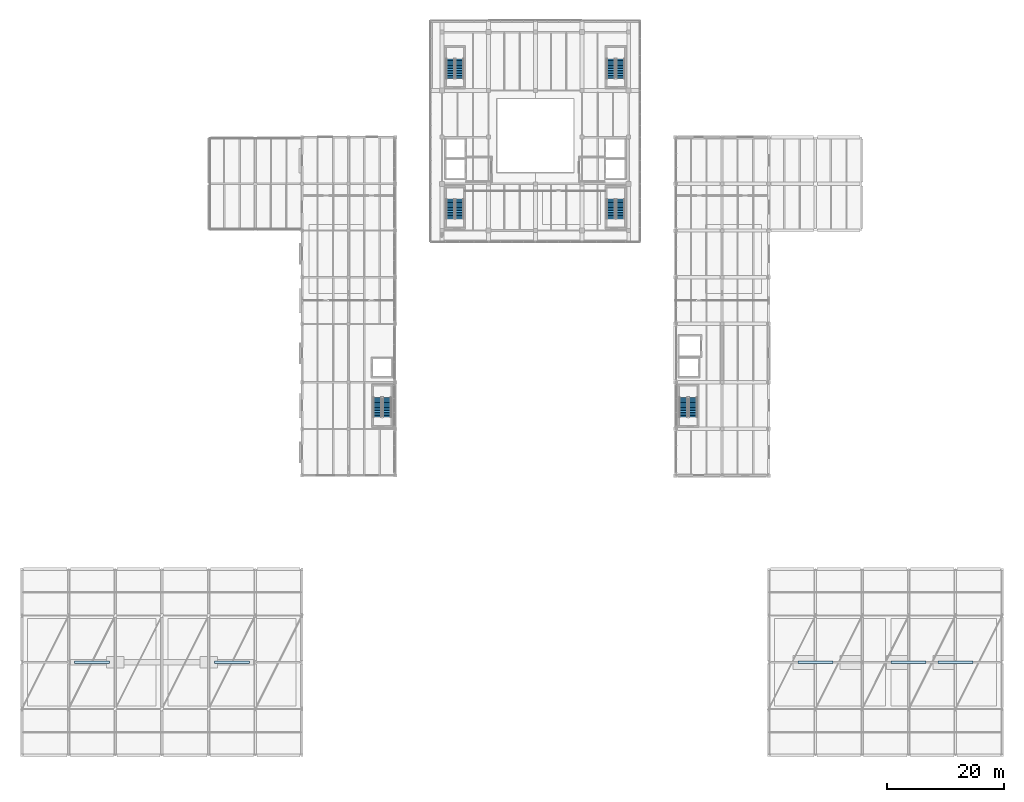
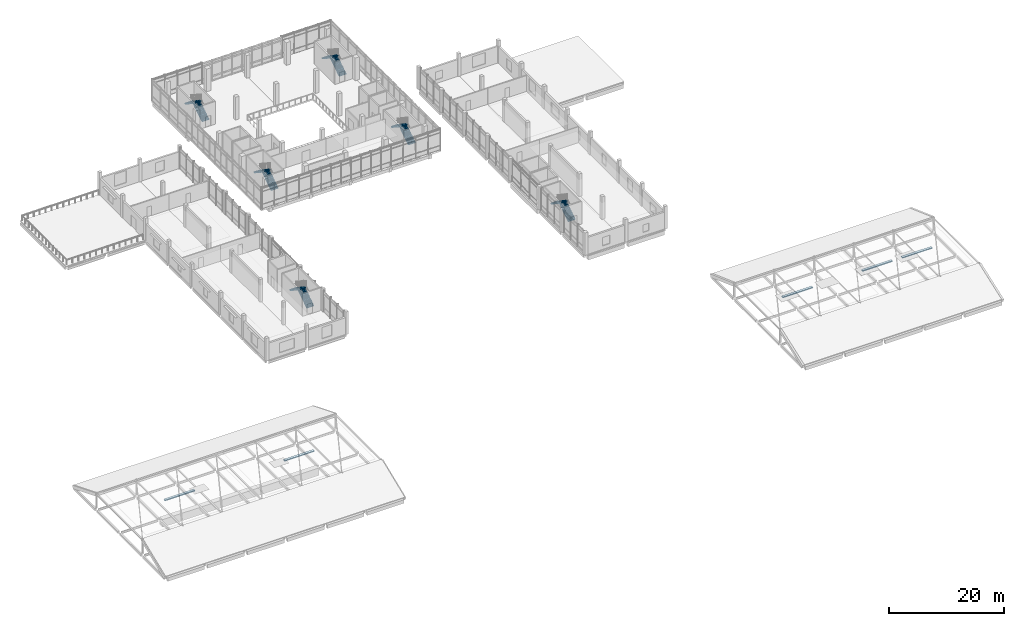
# One storey, part 37 of 47: 12 stair flights, 5 roofs, 6 elements without a shape of their own.
"""IFC4 building model written with IfcOpenShell, lengths in metres."""

from ifc_helpers import new_model, si_unit, direction, frame, origin, origin_2d, place, context, subcontext, project, spatial, polyline, rectangle, outline, extrude, material, type_object, element, aggregate, save


model = new_model("IFC4")

# Units and contexts
model_context = context("Model", 3, precision=1e-05, world=origin(), true_north=direction((0.0, 1.0)))
body_context = subcontext(model_context, "Body", "Model", "MODEL_VIEW")
ifc_project = project(units=[si_unit("LENGTHUNIT", "METRE"), si_unit("AREAUNIT", "SQUARE_METRE"), si_unit("VOLUMEUNIT", "CUBIC_METRE"), si_unit("PLANEANGLEUNIT", "RADIAN"), si_unit("MASSUNIT", "GRAM", prefix="KILO")], contexts=[model_context])

# Site, building, storey
site_placement = place(None, origin())
site = spatial("IfcSite", under=ifc_project, at=site_placement, CompositionType="ELEMENT")
building_placement = place(site_placement, origin())
building = spatial("IfcBuilding", under=site, at=building_placement, Name="Pecanmere Concourse Central Library", CompositionType="ELEMENT")
storey_placement = place(building_placement, frame((0.0, 0.0, 15.300048828125)))
storey = spatial("IfcBuildingStorey", under=building, at=storey_placement, Name="L04", CompositionType="ELEMENT", Elevation=15.300048828125)

# Stair, stair flights
ifc_material_1 = material(Name="Concrete C35/45", Category="concrete")
stair_type_1 = type_object("IfcStairType", Name="STAIR_TYPE_ST-01-1846", PredefinedType="USERDEFINED", material=ifc_material_1)
stair_1_placement = place(storey_placement, origin())
stair_1 = element("IfcStair", 1, at=stair_1_placement, inside=storey, type_object=stair_type_1, Name="L04 Protected Stair ST-01", ObjectType="TWO_RETURN_STAIR", PredefinedType="USERDEFINED")
ifc_material_2 = material(Name="Concrete C35/45", Category="concrete")
stair_flight_type = type_object("IfcStairFlightType", Name="FLIGHT_TYPE_SFL-145-1846", PredefinedType="STRAIGHT", material=ifc_material_2)
stair_flight_1_placement = place(storey_placement, frame((75.034912109375, 92.0, 0.0), z_axis=(0.0, 0.0, 1.0), x_axis=(0.0, 1.0, 0.0)))
stair_flight_1 = element("IfcStairFlight", 2, at=stair_flight_1_placement, type_object=stair_flight_type, Name="ST-01-1846 flight 1", NumberOfRisers=13, NumberOfTreads=12, PredefinedType="STRAIGHT", RiserHeight=0.184615385, TreadLength=0.28, context=body_context, shape_type="SweptSolid", body=[
    extrude(outline(polyline([(0.0, 0.0), (0.0, 0.1845703125), (0.280029296875, 0.1845703125), (0.280029296875, 0.369140625), (0.56005859375, 0.369140625), (0.56005859375, 0.553955078125), (0.840087890625, 0.553955078125), (0.840087890625, 0.738525390625), (1.1201171875, 0.738525390625), (1.1201171875, 0.923095703125), (1.39990234375, 0.923095703125), (1.39990234375, 1.107666015625), (1.679931640625, 1.107666015625), (1.679931640625, 1.292236328125), (1.9599609375, 1.292236328125), (1.9599609375, 1.476806640625), (2.239990234375, 1.476806640625), (2.239990234375, 1.66162109375), (2.52001953125, 1.66162109375), (2.52001953125, 1.84619140625), (2.800048828125, 1.84619140625), (2.800048828125, 2.03076171875), (3.080078125, 2.03076171875), (3.080078125, 2.21533203125), (3.360107421875, 2.21533203125), (3.360107421875, 2.39990234375), (3.360107421875, 2.02392578125), (0.29052734375, 0.0), (0.0, 0.0)])), frame((0.0, 0.72509765625, 0.0), z_axis=(0.0, -1.0, 0.0), x_axis=(1.0, 0.0, 0.0)), (0.0, 0.0, 1.0), 1.449951171875),
])
stair_flight_2_placement = place(storey_placement, frame((73.425048828125, 95.360107421875, 2.39990234375), z_axis=(0.0, 0.0, 1.0), x_axis=(0.0, -1.0, 0.0)))
stair_flight_2 = element("IfcStairFlight", 3, at=stair_flight_2_placement, type_object=stair_flight_type, Name="ST-01-1846 flight 2", NumberOfRisers=13, NumberOfTreads=12, PredefinedType="STRAIGHT", RiserHeight=0.184615385, TreadLength=0.28, context=body_context, shape_type="SweptSolid", body=[
    extrude(outline(polyline([(0.0, 0.0), (0.0, 0.1845703125), (0.280029296875, 0.1845703125), (0.280029296875, 0.369140625), (0.56005859375, 0.369140625), (0.56005859375, 0.553955078125), (0.840087890625, 0.553955078125), (0.840087890625, 0.738525390625), (1.1201171875, 0.738525390625), (1.1201171875, 0.923095703125), (1.39990234375, 0.923095703125), (1.39990234375, 1.107666015625), (1.679931640625, 1.107666015625), (1.679931640625, 1.292236328125), (1.9599609375, 1.292236328125), (1.9599609375, 1.476806640625), (2.239990234375, 1.476806640625), (2.239990234375, 1.66162109375), (2.52001953125, 1.66162109375), (2.52001953125, 1.84619140625), (2.800048828125, 1.84619140625), (2.800048828125, 2.03076171875), (3.080078125, 2.03076171875), (3.080078125, 2.21533203125), (3.360107421875, 2.21533203125), (3.360107421875, 2.39990234375), (3.360107421875, 2.02392578125), (0.29052734375, 0.0), (0.0, 0.0)])), frame((0.0, 0.72509765625, 0.0), z_axis=(0.0, -1.0, 0.0), x_axis=(1.0, 0.0, 0.0)), (0.0, 0.0, 1.0), 1.449951171875),
])
aggregate(stair_1, [stair_flight_1, stair_flight_2])

ifc_material_3 = material(Name="Concrete C35/45", Category="concrete")
stair_type_2 = type_object("IfcStairType", Name="STAIR_TYPE_ST-02-1846", PredefinedType="USERDEFINED", material=ifc_material_3)
stair_2_placement = place(storey_placement, origin())
stair_2 = element("IfcStair", 4, at=stair_2_placement, inside=storey, type_object=stair_type_2, Name="L04 Protected Stair ST-02", ObjectType="TWO_RETURN_STAIR", PredefinedType="USERDEFINED")
stair_flight_3_placement = place(storey_placement, frame((102.574951171875, 92.0, 0.0), z_axis=(0.0, 0.0, 1.0), x_axis=(0.0, 1.0, 0.0)))
stair_flight_3 = element("IfcStairFlight", 5, at=stair_flight_3_placement, type_object=stair_flight_type, Name="ST-02-1846 flight 1", NumberOfRisers=13, NumberOfTreads=12, PredefinedType="STRAIGHT", RiserHeight=0.184615385, TreadLength=0.28, context=body_context, shape_type="SweptSolid", body=[
    extrude(outline(polyline([(0.0, 0.0), (0.0, 0.1845703125), (0.280029296875, 0.1845703125), (0.280029296875, 0.369140625), (0.56005859375, 0.369140625), (0.56005859375, 0.553955078125), (0.840087890625, 0.553955078125), (0.840087890625, 0.738525390625), (1.1201171875, 0.738525390625), (1.1201171875, 0.923095703125), (1.39990234375, 0.923095703125), (1.39990234375, 1.107666015625), (1.679931640625, 1.107666015625), (1.679931640625, 1.292236328125), (1.9599609375, 1.292236328125), (1.9599609375, 1.476806640625), (2.239990234375, 1.476806640625), (2.239990234375, 1.66162109375), (2.52001953125, 1.66162109375), (2.52001953125, 1.84619140625), (2.800048828125, 1.84619140625), (2.800048828125, 2.03076171875), (3.080078125, 2.03076171875), (3.080078125, 2.21533203125), (3.360107421875, 2.21533203125), (3.360107421875, 2.39990234375), (3.360107421875, 2.02392578125), (0.29052734375, 0.0), (0.0, 0.0)])), frame((0.0, 0.72509765625, 0.0), z_axis=(0.0, -1.0, 0.0), x_axis=(1.0, 0.0, 0.0)), (0.0, 0.0, 1.0), 1.449951171875),
])
stair_flight_4_placement = place(storey_placement, frame((100.965087890625, 95.360107421875, 2.39990234375), z_axis=(0.0, 0.0, 1.0), x_axis=(0.0, -1.0, 0.0)))
stair_flight_4 = element("IfcStairFlight", 6, at=stair_flight_4_placement, type_object=stair_flight_type, Name="ST-02-1846 flight 2", NumberOfRisers=13, NumberOfTreads=12, PredefinedType="STRAIGHT", RiserHeight=0.184615385, TreadLength=0.28, context=body_context, shape_type="SweptSolid", body=[
    extrude(outline(polyline([(0.0, 0.0), (0.0, 0.1845703125), (0.280029296875, 0.1845703125), (0.280029296875, 0.369140625), (0.56005859375, 0.369140625), (0.56005859375, 0.553955078125), (0.840087890625, 0.553955078125), (0.840087890625, 0.738525390625), (1.1201171875, 0.738525390625), (1.1201171875, 0.923095703125), (1.39990234375, 0.923095703125), (1.39990234375, 1.107666015625), (1.679931640625, 1.107666015625), (1.679931640625, 1.292236328125), (1.9599609375, 1.292236328125), (1.9599609375, 1.476806640625), (2.239990234375, 1.476806640625), (2.239990234375, 1.66162109375), (2.52001953125, 1.66162109375), (2.52001953125, 1.84619140625), (2.800048828125, 1.84619140625), (2.800048828125, 2.03076171875), (3.080078125, 2.03076171875), (3.080078125, 2.21533203125), (3.360107421875, 2.21533203125), (3.360107421875, 2.39990234375), (3.360107421875, 2.02392578125), (0.29052734375, 0.0), (0.0, 0.0)])), frame((0.0, 0.72509765625, 0.0), z_axis=(0.0, -1.0, 0.0), x_axis=(1.0, 0.0, 0.0)), (0.0, 0.0, 1.0), 1.449951171875),
])
aggregate(stair_2, [stair_flight_3, stair_flight_4])

ifc_material_4 = material(Name="Concrete C35/45", Category="concrete")
stair_type_3 = type_object("IfcStairType", Name="STAIR_TYPE_ST-03-1846", PredefinedType="USERDEFINED", material=ifc_material_4)
stair_3_placement = place(storey_placement, origin())
stair_3 = element("IfcStair", 7, at=stair_3_placement, inside=storey, type_object=stair_type_3, Name="L04 Protected Stair ST-03", ObjectType="TWO_RETURN_STAIR", PredefinedType="USERDEFINED")
stair_flight_5_placement = place(storey_placement, frame((75.034912109375, 116.050048828125, 0.0), z_axis=(0.0, 0.0, 1.0), x_axis=(0.0, 1.0, 0.0)))
stair_flight_5 = element("IfcStairFlight", 8, at=stair_flight_5_placement, type_object=stair_flight_type, Name="ST-03-1846 flight 1", NumberOfRisers=13, NumberOfTreads=12, PredefinedType="STRAIGHT", RiserHeight=0.184615385, TreadLength=0.28, context=body_context, shape_type="SweptSolid", body=[
    extrude(outline(polyline([(0.0, 0.0), (0.0, 0.1845703125), (0.280029296875, 0.1845703125), (0.280029296875, 0.369140625), (0.56005859375, 0.369140625), (0.56005859375, 0.553955078125), (0.840087890625, 0.553955078125), (0.840087890625, 0.738525390625), (1.1201171875, 0.738525390625), (1.1201171875, 0.923095703125), (1.39990234375, 0.923095703125), (1.39990234375, 1.107666015625), (1.679931640625, 1.107666015625), (1.679931640625, 1.292236328125), (1.9599609375, 1.292236328125), (1.9599609375, 1.476806640625), (2.239990234375, 1.476806640625), (2.239990234375, 1.66162109375), (2.52001953125, 1.66162109375), (2.52001953125, 1.84619140625), (2.800048828125, 1.84619140625), (2.800048828125, 2.03076171875), (3.080078125, 2.03076171875), (3.080078125, 2.21533203125), (3.360107421875, 2.21533203125), (3.360107421875, 2.39990234375), (3.360107421875, 2.02392578125), (0.29052734375, 0.0), (0.0, 0.0)])), frame((0.0, 0.72509765625, 0.0), z_axis=(0.0, -1.0, 0.0), x_axis=(1.0, 0.0, 0.0)), (0.0, 0.0, 1.0), 1.449951171875),
])
stair_flight_6_placement = place(storey_placement, frame((73.425048828125, 119.409912109375, 2.39990234375), z_axis=(0.0, 0.0, 1.0), x_axis=(0.0, -1.0, 0.0)))
stair_flight_6 = element("IfcStairFlight", 9, at=stair_flight_6_placement, type_object=stair_flight_type, Name="ST-03-1846 flight 2", NumberOfRisers=13, NumberOfTreads=12, PredefinedType="STRAIGHT", RiserHeight=0.184615385, TreadLength=0.28, context=body_context, shape_type="SweptSolid", body=[
    extrude(outline(polyline([(0.0, 0.0), (0.0, 0.1845703125), (0.280029296875, 0.1845703125), (0.280029296875, 0.369140625), (0.56005859375, 0.369140625), (0.56005859375, 0.553955078125), (0.840087890625, 0.553955078125), (0.840087890625, 0.738525390625), (1.1201171875, 0.738525390625), (1.1201171875, 0.923095703125), (1.39990234375, 0.923095703125), (1.39990234375, 1.107666015625), (1.679931640625, 1.107666015625), (1.679931640625, 1.292236328125), (1.9599609375, 1.292236328125), (1.9599609375, 1.476806640625), (2.239990234375, 1.476806640625), (2.239990234375, 1.66162109375), (2.52001953125, 1.66162109375), (2.52001953125, 1.84619140625), (2.800048828125, 1.84619140625), (2.800048828125, 2.03076171875), (3.080078125, 2.03076171875), (3.080078125, 2.21533203125), (3.360107421875, 2.21533203125), (3.360107421875, 2.39990234375), (3.360107421875, 2.02392578125), (0.29052734375, 0.0), (0.0, 0.0)])), frame((0.0, 0.72509765625, 0.0), z_axis=(0.0, -1.0, 0.0), x_axis=(1.0, 0.0, 0.0)), (0.0, 0.0, 1.0), 1.449951171875),
])
aggregate(stair_3, [stair_flight_5, stair_flight_6])

ifc_material_5 = material(Name="Concrete C35/45", Category="concrete")
stair_type_4 = type_object("IfcStairType", Name="STAIR_TYPE_ST-04-1846", PredefinedType="USERDEFINED", material=ifc_material_5)
stair_4_placement = place(storey_placement, origin())
stair_4 = element("IfcStair", 10, at=stair_4_placement, inside=storey, type_object=stair_type_4, Name="L04 Protected Stair ST-04", ObjectType="TWO_RETURN_STAIR", PredefinedType="USERDEFINED")
stair_flight_7_placement = place(storey_placement, frame((102.574951171875, 116.050048828125, 0.0), z_axis=(0.0, 0.0, 1.0), x_axis=(0.0, 1.0, 0.0)))
stair_flight_7 = element("IfcStairFlight", 11, at=stair_flight_7_placement, type_object=stair_flight_type, Name="ST-04-1846 flight 1", NumberOfRisers=13, NumberOfTreads=12, PredefinedType="STRAIGHT", RiserHeight=0.184615385, TreadLength=0.28, context=body_context, shape_type="SweptSolid", body=[
    extrude(outline(polyline([(0.0, 0.0), (0.0, 0.1845703125), (0.280029296875, 0.1845703125), (0.280029296875, 0.369140625), (0.56005859375, 0.369140625), (0.56005859375, 0.553955078125), (0.840087890625, 0.553955078125), (0.840087890625, 0.738525390625), (1.1201171875, 0.738525390625), (1.1201171875, 0.923095703125), (1.39990234375, 0.923095703125), (1.39990234375, 1.107666015625), (1.679931640625, 1.107666015625), (1.679931640625, 1.292236328125), (1.9599609375, 1.292236328125), (1.9599609375, 1.476806640625), (2.239990234375, 1.476806640625), (2.239990234375, 1.66162109375), (2.52001953125, 1.66162109375), (2.52001953125, 1.84619140625), (2.800048828125, 1.84619140625), (2.800048828125, 2.03076171875), (3.080078125, 2.03076171875), (3.080078125, 2.21533203125), (3.360107421875, 2.21533203125), (3.360107421875, 2.39990234375), (3.360107421875, 2.02392578125), (0.29052734375, 0.0), (0.0, 0.0)])), frame((0.0, 0.72509765625, 0.0), z_axis=(0.0, -1.0, 0.0), x_axis=(1.0, 0.0, 0.0)), (0.0, 0.0, 1.0), 1.449951171875),
])
stair_flight_8_placement = place(storey_placement, frame((100.965087890625, 119.409912109375, 2.39990234375), z_axis=(0.0, 0.0, 1.0), x_axis=(0.0, -1.0, 0.0)))
stair_flight_8 = element("IfcStairFlight", 12, at=stair_flight_8_placement, type_object=stair_flight_type, Name="ST-04-1846 flight 2", NumberOfRisers=13, NumberOfTreads=12, PredefinedType="STRAIGHT", RiserHeight=0.184615385, TreadLength=0.28, context=body_context, shape_type="SweptSolid", body=[
    extrude(outline(polyline([(0.0, 0.0), (0.0, 0.1845703125), (0.280029296875, 0.1845703125), (0.280029296875, 0.369140625), (0.56005859375, 0.369140625), (0.56005859375, 0.553955078125), (0.840087890625, 0.553955078125), (0.840087890625, 0.738525390625), (1.1201171875, 0.738525390625), (1.1201171875, 0.923095703125), (1.39990234375, 0.923095703125), (1.39990234375, 1.107666015625), (1.679931640625, 1.107666015625), (1.679931640625, 1.292236328125), (1.9599609375, 1.292236328125), (1.9599609375, 1.476806640625), (2.239990234375, 1.476806640625), (2.239990234375, 1.66162109375), (2.52001953125, 1.66162109375), (2.52001953125, 1.84619140625), (2.800048828125, 1.84619140625), (2.800048828125, 2.03076171875), (3.080078125, 2.03076171875), (3.080078125, 2.21533203125), (3.360107421875, 2.21533203125), (3.360107421875, 2.39990234375), (3.360107421875, 2.02392578125), (0.29052734375, 0.0), (0.0, 0.0)])), frame((0.0, 0.72509765625, 0.0), z_axis=(0.0, -1.0, 0.0), x_axis=(1.0, 0.0, 0.0)), (0.0, 0.0, 1.0), 1.449951171875),
])
aggregate(stair_4, [stair_flight_7, stair_flight_8])

ifc_material_6 = material(Name="Concrete C35/45", Category="concrete")
stair_type_5 = type_object("IfcStairType", Name="STAIR_TYPE_ST-05-1846", PredefinedType="USERDEFINED", material=ifc_material_6)
stair_5_placement = place(storey_placement, origin())
stair_5 = element("IfcStair", 13, at=stair_5_placement, inside=storey, type_object=stair_type_5, Name="L04 Protected Stair ST-05", ObjectType="TWO_RETURN_STAIR", PredefinedType="USERDEFINED")
stair_flight_9_placement = place(storey_placement, frame((115.034912109375, 58.0, 0.0), z_axis=(0.0, 0.0, 1.0), x_axis=(0.0, 1.0, 0.0)))
stair_flight_9 = element("IfcStairFlight", 14, at=stair_flight_9_placement, type_object=stair_flight_type, Name="ST-05-1846 flight 1", NumberOfRisers=13, NumberOfTreads=12, PredefinedType="STRAIGHT", RiserHeight=0.184615385, TreadLength=0.28, context=body_context, shape_type="SweptSolid", body=[
    extrude(outline(polyline([(0.0, 0.0), (0.0, 0.1845703125), (0.280029296875, 0.1845703125), (0.280029296875, 0.369140625), (0.56005859375, 0.369140625), (0.56005859375, 0.553955078125), (0.840087890625, 0.553955078125), (0.840087890625, 0.738525390625), (1.1201171875, 0.738525390625), (1.1201171875, 0.923095703125), (1.39990234375, 0.923095703125), (1.39990234375, 1.107666015625), (1.679931640625, 1.107666015625), (1.679931640625, 1.292236328125), (1.9599609375, 1.292236328125), (1.9599609375, 1.476806640625), (2.239990234375, 1.476806640625), (2.239990234375, 1.66162109375), (2.52001953125, 1.66162109375), (2.52001953125, 1.84619140625), (2.800048828125, 1.84619140625), (2.800048828125, 2.03076171875), (3.080078125, 2.03076171875), (3.080078125, 2.21533203125), (3.360107421875, 2.21533203125), (3.360107421875, 2.39990234375), (3.360107421875, 2.02392578125), (0.29052734375, 0.0), (0.0, 0.0)])), frame((0.0, 0.72509765625, 0.0), z_axis=(0.0, -1.0, 0.0), x_axis=(1.0, 0.0, 0.0)), (0.0, 0.0, 1.0), 1.449951171875),
])
stair_flight_10_placement = place(storey_placement, frame((113.425048828125, 61.360107421875, 2.39990234375), z_axis=(0.0, 0.0, 1.0), x_axis=(0.0, -1.0, 0.0)))
stair_flight_10 = element("IfcStairFlight", 15, at=stair_flight_10_placement, type_object=stair_flight_type, Name="ST-05-1846 flight 2", NumberOfRisers=13, NumberOfTreads=12, PredefinedType="STRAIGHT", RiserHeight=0.184615385, TreadLength=0.28, context=body_context, shape_type="SweptSolid", body=[
    extrude(outline(polyline([(0.0, 0.0), (0.0, 0.1845703125), (0.280029296875, 0.1845703125), (0.280029296875, 0.369140625), (0.56005859375, 0.369140625), (0.56005859375, 0.553955078125), (0.840087890625, 0.553955078125), (0.840087890625, 0.738525390625), (1.1201171875, 0.738525390625), (1.1201171875, 0.923095703125), (1.39990234375, 0.923095703125), (1.39990234375, 1.107666015625), (1.679931640625, 1.107666015625), (1.679931640625, 1.292236328125), (1.9599609375, 1.292236328125), (1.9599609375, 1.476806640625), (2.239990234375, 1.476806640625), (2.239990234375, 1.66162109375), (2.52001953125, 1.66162109375), (2.52001953125, 1.84619140625), (2.800048828125, 1.84619140625), (2.800048828125, 2.03076171875), (3.080078125, 2.03076171875), (3.080078125, 2.21533203125), (3.360107421875, 2.21533203125), (3.360107421875, 2.39990234375), (3.360107421875, 2.02392578125), (0.29052734375, 0.0), (0.0, 0.0)])), frame((0.0, 0.72509765625, 0.0), z_axis=(0.0, -1.0, 0.0), x_axis=(1.0, 0.0, 0.0)), (0.0, 0.0, 1.0), 1.449951171875),
])
aggregate(stair_5, [stair_flight_9, stair_flight_10])

ifc_material_7 = material(Name="Concrete C35/45", Category="concrete")
stair_type_6 = type_object("IfcStairType", Name="STAIR_TYPE_ST-06-1846", PredefinedType="USERDEFINED", material=ifc_material_7)
stair_6_placement = place(storey_placement, origin())
stair_6 = element("IfcStair", 16, at=stair_6_placement, inside=storey, type_object=stair_type_6, Name="L04 Protected Stair ST-06", ObjectType="TWO_RETURN_STAIR", PredefinedType="USERDEFINED")
stair_flight_11_placement = place(storey_placement, frame((62.574951171875, 58.0, 0.0), z_axis=(0.0, 0.0, 1.0), x_axis=(0.0, 1.0, 0.0)))
stair_flight_11 = element("IfcStairFlight", 17, at=stair_flight_11_placement, type_object=stair_flight_type, Name="ST-06-1846 flight 1", NumberOfRisers=13, NumberOfTreads=12, PredefinedType="STRAIGHT", RiserHeight=0.184615385, TreadLength=0.28, context=body_context, shape_type="SweptSolid", body=[
    extrude(outline(polyline([(0.0, 0.0), (0.0, 0.1845703125), (0.280029296875, 0.1845703125), (0.280029296875, 0.369140625), (0.56005859375, 0.369140625), (0.56005859375, 0.553955078125), (0.840087890625, 0.553955078125), (0.840087890625, 0.738525390625), (1.1201171875, 0.738525390625), (1.1201171875, 0.923095703125), (1.39990234375, 0.923095703125), (1.39990234375, 1.107666015625), (1.679931640625, 1.107666015625), (1.679931640625, 1.292236328125), (1.9599609375, 1.292236328125), (1.9599609375, 1.476806640625), (2.239990234375, 1.476806640625), (2.239990234375, 1.66162109375), (2.52001953125, 1.66162109375), (2.52001953125, 1.84619140625), (2.800048828125, 1.84619140625), (2.800048828125, 2.03076171875), (3.080078125, 2.03076171875), (3.080078125, 2.21533203125), (3.360107421875, 2.21533203125), (3.360107421875, 2.39990234375), (3.360107421875, 2.02392578125), (0.29052734375, 0.0), (0.0, 0.0)])), frame((0.0, 0.72509765625, 0.0), z_axis=(0.0, -1.0, 0.0), x_axis=(1.0, 0.0, 0.0)), (0.0, 0.0, 1.0), 1.449951171875),
])
stair_flight_12_placement = place(storey_placement, frame((60.965087890625, 61.360107421875, 2.39990234375), z_axis=(0.0, 0.0, 1.0), x_axis=(0.0, -1.0, 0.0)))
stair_flight_12 = element("IfcStairFlight", 18, at=stair_flight_12_placement, type_object=stair_flight_type, Name="ST-06-1846 flight 2", NumberOfRisers=13, NumberOfTreads=12, PredefinedType="STRAIGHT", RiserHeight=0.184615385, TreadLength=0.28, context=body_context, shape_type="SweptSolid", body=[
    extrude(outline(polyline([(0.0, 0.0), (0.0, 0.1845703125), (0.280029296875, 0.1845703125), (0.280029296875, 0.369140625), (0.56005859375, 0.369140625), (0.56005859375, 0.553955078125), (0.840087890625, 0.553955078125), (0.840087890625, 0.738525390625), (1.1201171875, 0.738525390625), (1.1201171875, 0.923095703125), (1.39990234375, 0.923095703125), (1.39990234375, 1.107666015625), (1.679931640625, 1.107666015625), (1.679931640625, 1.292236328125), (1.9599609375, 1.292236328125), (1.9599609375, 1.476806640625), (2.239990234375, 1.476806640625), (2.239990234375, 1.66162109375), (2.52001953125, 1.66162109375), (2.52001953125, 1.84619140625), (2.800048828125, 1.84619140625), (2.800048828125, 2.03076171875), (3.080078125, 2.03076171875), (3.080078125, 2.21533203125), (3.360107421875, 2.21533203125), (3.360107421875, 2.39990234375), (3.360107421875, 2.02392578125), (0.29052734375, 0.0), (0.0, 0.0)])), frame((0.0, 0.72509765625, 0.0), z_axis=(0.0, -1.0, 0.0), x_axis=(1.0, 0.0, 0.0)), (0.0, 0.0, 1.0), 1.449951171875),
])
aggregate(stair_6, [stair_flight_11, stair_flight_12])

# Roofs
ifc_material_8 = material(Name="Architectural standing-seam copper")
roof_type = type_object("IfcRoofType", Name="ROOF_HIP_ASM", PredefinedType="HIP_ROOF", material=ifc_material_8)
for number, where, z_axis, x_axis, name in (
    (19, (12.0, 16.0, 3.23193359375), (0.0, 0.0, 1.0), (1.0, 0.0, 0.0), "Pavilion Copper Ridge Assembly 1"),
    (20, (36.0, 16.0, 3.23193359375), (0.0, 0.0, 1.0), (1.0, 0.0, 0.0), "Pavilion Copper Ridge Assembly 2"),
    (21, (136.0, 16.0, 2.91162109375), (0.0, 0.0, 1.0), (1.0, 0.0, 0.0), "Pavilion Copper Ridge Assembly 3"),
    (22, (152.0, 16.0, 2.91162109375), (0.0, 0.0, 1.0), (1.0, 0.0, 0.0), "Pavilion Copper Ridge Assembly 4"),
    (23, (160.0, 16.0, 2.91162109375), (0.0, 0.0, 1.0), (1.0, 0.0, 0.0), "Pavilion Copper Ridge Assembly 5"),
):
    element("IfcRoof", number, at=place(storey_placement, frame(where, z_axis=z_axis, x_axis=x_axis)), inside=storey, type_object=roof_type, Name=name, PredefinedType="HIP_ROOF", context=body_context, shape_type="SweptSolid", body=[
        extrude(rectangle(XDim=6.0, YDim=0.449951171875, at=origin_2d()), origin(), (0.0, 0.0, 1.0), 0.199951171875),
    ])

save(model, "model.ifc")
